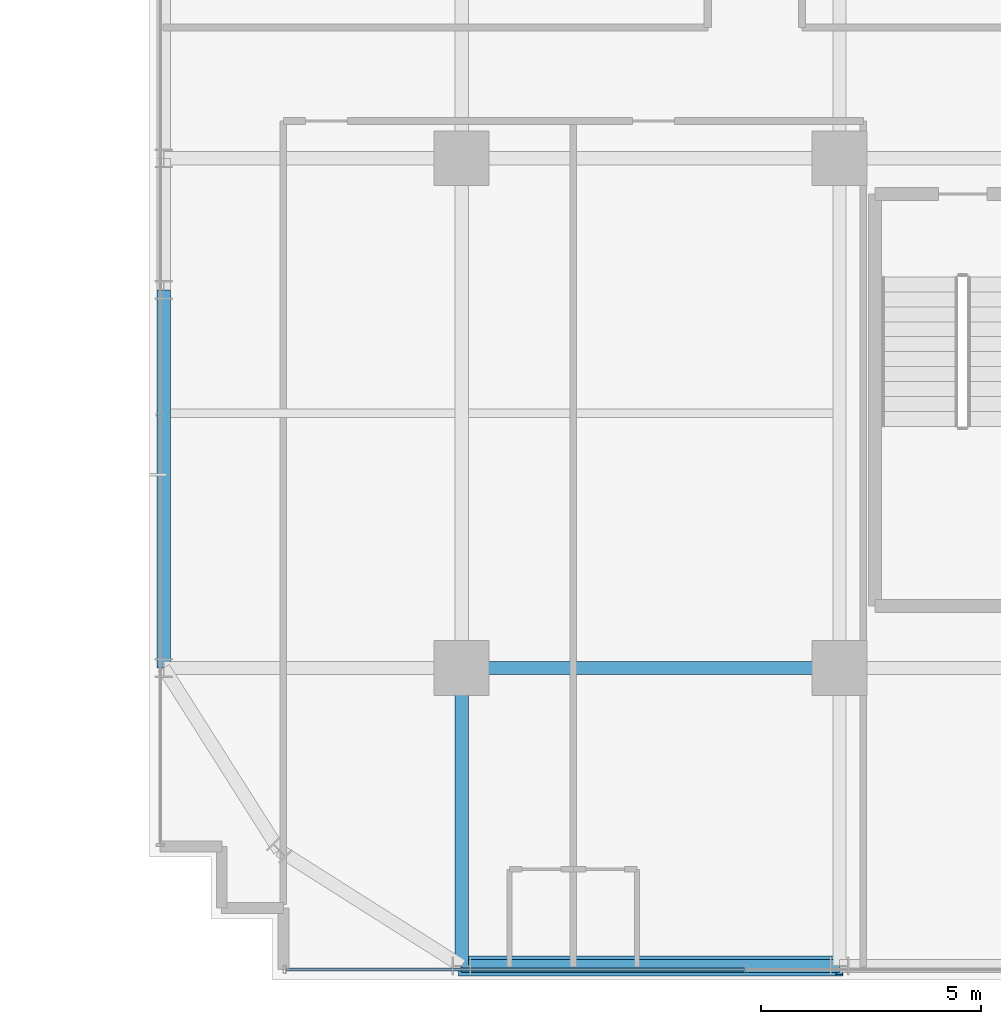
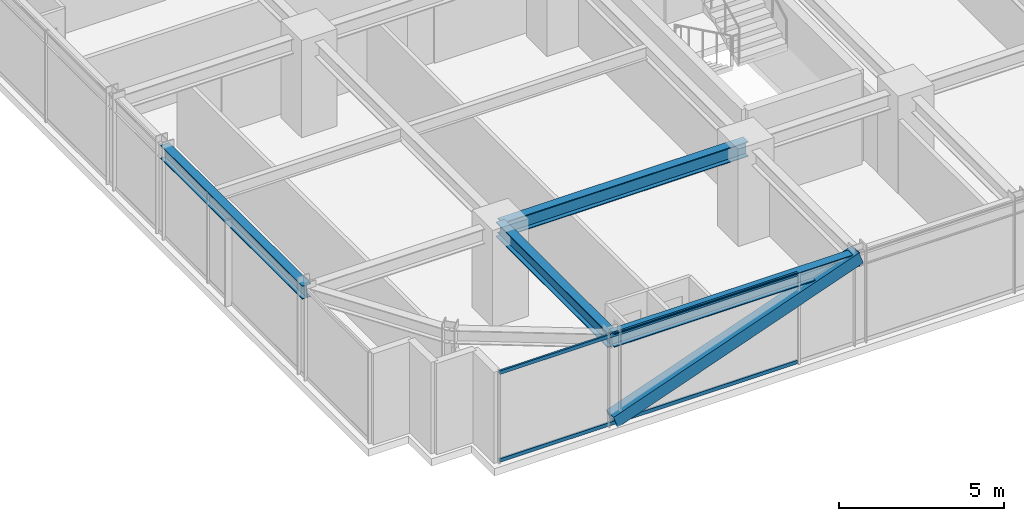
# One storey, part 3 of 35: 4 beams, 3 members, 1 element without a shape of its own.
"""IFC4 building model written with IfcOpenShell, lengths in metres."""

from ifc_helpers import new_model, si_unit, direction, frame, origin, origin_2d, place, context, subcontext, project, spatial, hollow_rectangle, i_section, extrude, source, transform, mapped, material, material_profile, profile_set, type_object, element, aggregate, save


model = new_model("IFC4")

# Units and contexts
model_context = context("Model", 3, precision=1e-05, world=origin(), true_north=direction((0.0, 1.0)))
body_context = subcontext(model_context, "Body", "Model", "MODEL_VIEW")
ifc_project = project(units=[si_unit("LENGTHUNIT", "METRE"), si_unit("AREAUNIT", "SQUARE_METRE"), si_unit("VOLUMEUNIT", "CUBIC_METRE"), si_unit("PLANEANGLEUNIT", "RADIAN"), si_unit("MASSUNIT", "GRAM", prefix="KILO")], contexts=[model_context])

# Site, building, storey
site_placement = place(None, origin())
site = spatial("IfcSite", under=ifc_project, at=site_placement, CompositionType="ELEMENT")
building_placement = place(site_placement, origin())
building = spatial("IfcBuilding", under=site, at=building_placement, Name="Nahalor Promenade Grand Hotel", CompositionType="ELEMENT")
storey_placement = place(building_placement, frame((0.0, 0.0, 121.14990234375)))
storey = spatial("IfcBuildingStorey", under=building, at=storey_placement, Name="L30", CompositionType="ELEMENT", Elevation=121.14990234375)

# Beams
ifc_material_1 = material(Name="Steel S355JR", Category="steel")
ifc_material_profile_1 = material_profile(ifc_material_1, i_section(OverallWidth=0.3, OverallDepth=0.5, WebThickness=0.0145, FlangeThickness=0.028, at=origin_2d()), Name="HEB 500")
ifc_profile_set_1 = profile_set([ifc_material_profile_1], Name="Steel S355JR")
beam_type_1 = type_object("IfcBeamType", Name="Beam-Spandrel-HEB500", PredefinedType="SPANDREL", material=ifc_profile_set_1)
shared_shape_1 = source(origin(), body_context, "Body", "SweptSolid", [
    extrude(i_section(OverallWidth=0.3, OverallDepth=0.5, WebThickness=0.0145, FlangeThickness=0.028, at=origin_2d()), origin(), (0.0, 0.0, 1.0), 8.60009765625),
])
for number, where, z_axis, x_axis, name in (
    (1, (-17.0, -23.780029296875, 3.130126953125), (1.0, 0.0, 0.0), (0.0, 1.0, 0.0), "BM-L30-SP-S-0"),
    (2, (-23.780029296875, -17.0, 3.130126953125), (0.0, 1.0, 0.0), (-1.0, 0.0, 0.0), "BM-L30-SP-W-0"),
):
    element("IfcBeam", number, at=place(storey_placement, frame(where, z_axis=z_axis, x_axis=x_axis)), inside=storey, type_object=beam_type_1, Name=name, PredefinedType="SPANDREL", context=body_context, shape_type="MappedRepresentation", body=[
        mapped(shared_shape_1, transform((0.0, 0.0, 0.0), scale=1.0)),
    ])
ifc_material_profile_2 = material_profile(ifc_material_1, i_section(OverallWidth=0.3, OverallDepth=0.55, WebThickness=0.015, FlangeThickness=0.029, at=origin_2d()), Name="HEB 550")
ifc_profile_set_2 = profile_set([ifc_material_profile_2], Name="Steel S355JR")
beam_type_2 = type_object("IfcBeamType", Name="Beam-Girder-HEB550", PredefinedType="BEAM", material=ifc_profile_set_2)
shared_shape_2 = source(origin(), body_context, "Body", "SweptSolid", [
    extrude(i_section(OverallWidth=0.3, OverallDepth=0.55, WebThickness=0.015, FlangeThickness=0.029, at=origin_2d()), origin(), (0.0, 0.0, 1.0), 6.780029296875),
])
beam_1_placement = place(storey_placement, frame((-17.0, -23.780029296875, 3.10498046875), z_axis=(0.0, 1.0, 0.0), x_axis=(-1.0, 0.0, 0.0)))
element("IfcBeam", 3, at=beam_1_placement, inside=storey, type_object=beam_type_2, Name="BM-L30-GY-0-0", PredefinedType="BEAM", context=body_context, shape_type="MappedRepresentation", body=[
    mapped(shared_shape_2, transform((0.0, 0.0, 0.0), scale=1.0)),
])
shared_shape_3 = source(origin(), body_context, "Body", "SweptSolid", [
    extrude(i_section(OverallWidth=0.3, OverallDepth=0.55, WebThickness=0.015, FlangeThickness=0.029, at=origin_2d()), origin(), (0.0, 0.0, 1.0), 8.60009765625),
])
beam_2_placement = place(storey_placement, frame((-17.0, -17.0, 3.10498046875), z_axis=(1.0, 0.0, 0.0), x_axis=(0.0, 1.0, 0.0)))
element("IfcBeam", 4, at=beam_2_placement, inside=storey, type_object=beam_type_2, Name="BM-L30-GX-0-1", PredefinedType="BEAM", context=body_context, shape_type="MappedRepresentation", body=[
    mapped(shared_shape_3, transform((0.0, 0.0, 0.0), scale=1.0)),
])

# Member
ifc_material_2 = material(Name="Steel S355J2", Category="steel")
ifc_material_profile_3 = material_profile(ifc_material_2, hollow_rectangle(XDim=0.45, YDim=0.45, WallThickness=0.025, at=origin_2d()), Name="SHS 450x450x25")
ifc_profile_set_3 = profile_set([ifc_material_profile_3], Name="Steel S355J2")
member_type_1 = type_object("IfcMemberType", Name="Mem-ExoBrace-SHS450", PredefinedType="BRACE", material=ifc_profile_set_3)
shared_shape_4 = source(origin(), body_context, "Body", "SweptSolid", [
    extrude(hollow_rectangle(XDim=0.45, YDim=0.45, WallThickness=0.025, at=origin_2d()), origin(), (0.0, 0.0, 1.0), 9.135009765625),
])
member_1_placement = place(storey_placement, frame((-17.0, -23.780029296875, 0.150146484375), z_axis=(0.941451323466, 0.0, 0.337148936738), x_axis=(0.0, 1.0, 0.0)))
element("IfcMember", 5, at=member_1_placement, inside=storey, type_object=member_type_1, Name="EXO-L30-S-0", PredefinedType="BRACE", context=body_context, shape_type="MappedRepresentation", body=[
    mapped(shared_shape_4, transform((0.0, 0.0, 0.0), scale=1.0)),
])

# Curtain wall, members
ifc_material_3 = material(Name="Anodised Bronze Aluminium EN AW-6063 T6", Category="aluminium")
curtain_wall_type = type_object("IfcCurtainWallType", Name="CW2 Typical Hotel Flush Bronze Unitised Curtain Wall", PredefinedType="USERDEFINED", material=ifc_material_3)
curtain_wall_placement = place(storey_placement, origin())
curtain_wall = element("IfcCurtainWall", 6, at=curtain_wall_placement, inside=storey, type_object=curtain_wall_type, Name="L30 Curtain Wall CW-L30-S-1", ObjectType="UNITISED_CURTAIN_WALL", PredefinedType="USERDEFINED")
ifc_material_profile_4 = material_profile(ifc_material_3, hollow_rectangle(XDim=0.065, YDim=0.13, WallThickness=0.004, at=origin_2d()), Name="CWT 65x130x4")
ifc_profile_set_4 = profile_set([ifc_material_profile_4], Name="Anodised Bronze Aluminium EN AW-6063 T6")
member_type_2 = type_object("IfcMemberType", Name="CWT2 Typical Bronze Transom 65x130", PredefinedType="USERDEFINED", material=ifc_profile_set_4)
shared_shape_5 = source(origin(), body_context, "Body", "SweptSolid", [
    extrude(hollow_rectangle(XDim=0.065, YDim=0.13, WallThickness=0.004, at=origin_2d()), origin(), (0.0, 0.0, 1.0), 10.4326171875),
])
member_2_placement = place(storey_placement, frame((-20.9951171875, -23.860107421875, 0.065185546875), z_axis=(1.0, 0.0, 0.0), x_axis=(0.0, 1.0, 0.0)))
member_2 = element("IfcMember", 7, at=member_2_placement, type_object=member_type_2, Name="CW-L30-S-1 Transom 0-0", ObjectType="TRANSOM", PredefinedType="USERDEFINED", context=body_context, shape_type="MappedRepresentation", body=[
    mapped(shared_shape_5, transform((0.0, 0.0, 0.0), scale=1.0)),
])
member_3_placement = place(storey_placement, frame((-20.9951171875, -23.860107421875, 3.315185546875), z_axis=(1.0, 0.0, 0.0), x_axis=(0.0, 1.0, 0.0)))
member_3 = element("IfcMember", 8, at=member_3_placement, type_object=member_type_2, Name="CW-L30-S-1 Transom 0-1", ObjectType="TRANSOM", PredefinedType="USERDEFINED", context=body_context, shape_type="MappedRepresentation", body=[
    mapped(shared_shape_5, transform((0.0, 0.0, 0.0), scale=1.0)),
])
aggregate(curtain_wall, [member_2, member_3])

save(model, "model.ifc")
